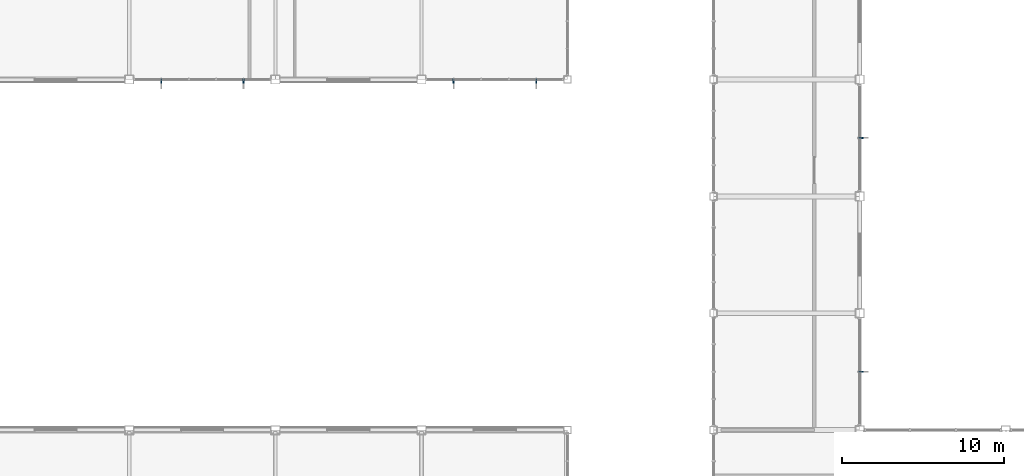
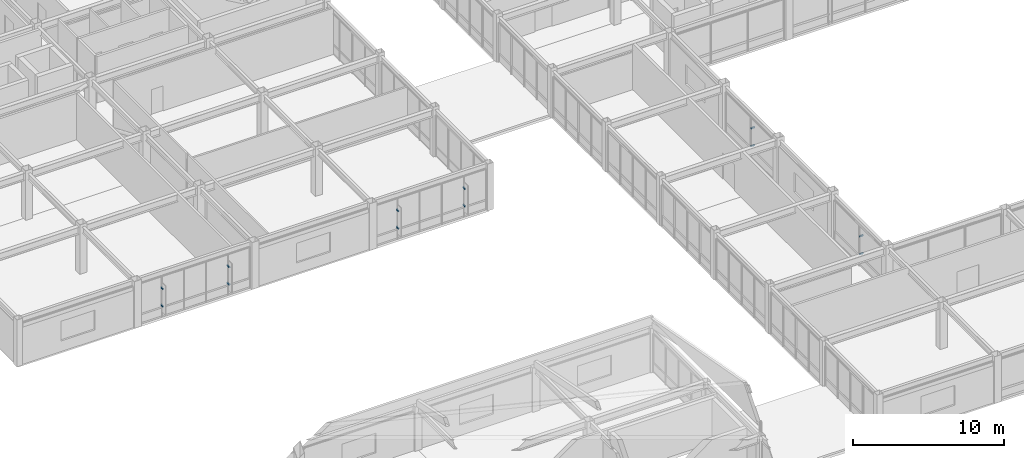
# One storey, part 102 of 113: 12 discrete accessories.
"""IFC4 building model written with IfcOpenShell, lengths in metres."""

from ifc_helpers import new_model, si_unit, direction, frame, origin, origin_2d, place, context, subcontext, project, spatial, rectangle, extrude, material, type_object, element, save


model = new_model("IFC4")

# Units and contexts
model_context = context("Model", 3, precision=1e-05, world=origin(), true_north=direction((0.0, 1.0)))
body_context = subcontext(model_context, "Body", "Model", "MODEL_VIEW")
ifc_project = project(units=[si_unit("LENGTHUNIT", "METRE"), si_unit("AREAUNIT", "SQUARE_METRE"), si_unit("VOLUMEUNIT", "CUBIC_METRE"), si_unit("PLANEANGLEUNIT", "RADIAN"), si_unit("MASSUNIT", "GRAM", prefix="KILO")], contexts=[model_context])

# Site, building, storey
site_placement = place(None, origin())
site = spatial("IfcSite", under=ifc_project, at=site_placement, CompositionType="ELEMENT")
building_placement = place(site_placement, origin())
building = spatial("IfcBuilding", under=site, at=building_placement, Name="Kazanami Central Library", CompositionType="ELEMENT")
storey_placement = place(building_placement, frame((0.0, 0.0, 8.800048828125)))
storey = spatial("IfcBuildingStorey", under=building, at=storey_placement, Name="L03", CompositionType="ELEMENT", Elevation=8.800048828125)

# Discrete accessories
ifc_material = material(Name="Stainless Steel SUS304", Category="steel")
discrete_accessory_type = type_object("IfcDiscreteAccessoryType", Name="ACC-BRK-1", PredefinedType="BRACKET", material=ifc_material)
for number, where, z_axis, x_axis, name in (
    (1, (10.965087890625, 57.510009765625, 0.919921875), (0.0, 0.0, 1.0), (1.0, 0.0, 0.0), "Solar Fin Outrigger Bracket L03 S-J-01.1.1"),
    (2, (10.965087890625, 57.510009765625, 2.329833984375), (0.0, 0.0, 1.0), (1.0, 0.0, 0.0), "Solar Fin Outrigger Bracket L03 S-J-01.1.2"),
    (3, (16.034912109375, 57.510009765625, 0.919921875), (0.0, 0.0, 1.0), (1.0, 0.0, 0.0), "Solar Fin Outrigger Bracket L03 S-J-01.2.1"),
    (4, (16.034912109375, 57.510009765625, 2.329833984375), (0.0, 0.0, 1.0), (1.0, 0.0, 0.0), "Solar Fin Outrigger Bracket L03 S-J-01.2.2"),
    (5, (28.97509765625, 57.510009765625, 0.919921875), (0.0, 0.0, 1.0), (1.0, 0.0, 0.0), "Solar Fin Outrigger Bracket L03 S-J-03.1.1"),
    (6, (28.97509765625, 57.510009765625, 2.329833984375), (0.0, 0.0, 1.0), (1.0, 0.0, 0.0), "Solar Fin Outrigger Bracket L03 S-J-03.1.2"),
    (7, (34.074951171875, 57.510009765625, 0.919921875), (0.0, 0.0, 1.0), (1.0, 0.0, 0.0), "Solar Fin Outrigger Bracket L03 S-J-03.2.1"),
    (8, (34.074951171875, 57.510009765625, 2.329833984375), (0.0, 0.0, 1.0), (1.0, 0.0, 0.0), "Solar Fin Outrigger Bracket L03 S-J-03.2.2"),
    (9, (54.090087890625, 39.60009765625, 0.887451171875), (0.0, 0.0, 1.0), (0.0, -1.0, 0.0), "Solar Fin Outrigger Bracket L03 E-7-05.1.1"),
    (10, (54.090087890625, 39.60009765625, 2.327392578125), (0.0, 0.0, 1.0), (0.0, -1.0, 0.0), "Solar Fin Outrigger Bracket L03 E-7-05.1.2"),
    (11, (54.090087890625, 54.0, 0.887451171875), (0.0, 0.0, 1.0), (0.0, -1.0, 0.0), "Solar Fin Outrigger Bracket L03 E-7-07.1.1"),
    (12, (54.090087890625, 54.0, 2.327392578125), (0.0, 0.0, 1.0), (0.0, -1.0, 0.0), "Solar Fin Outrigger Bracket L03 E-7-07.1.2"),
):
    element("IfcDiscreteAccessory", number, at=place(storey_placement, frame(where, z_axis=z_axis, x_axis=x_axis)), inside=storey, type_object=discrete_accessory_type, Name=name, PredefinedType="BRACKET", context=body_context, shape_type="SweptSolid", body=[
        extrude(rectangle(XDim=0.080078125, YDim=0.280029296875, at=origin_2d()), origin(), (0.0, 0.0, 1.0), 0.080078125),
    ])

save(model, "model.ifc")
